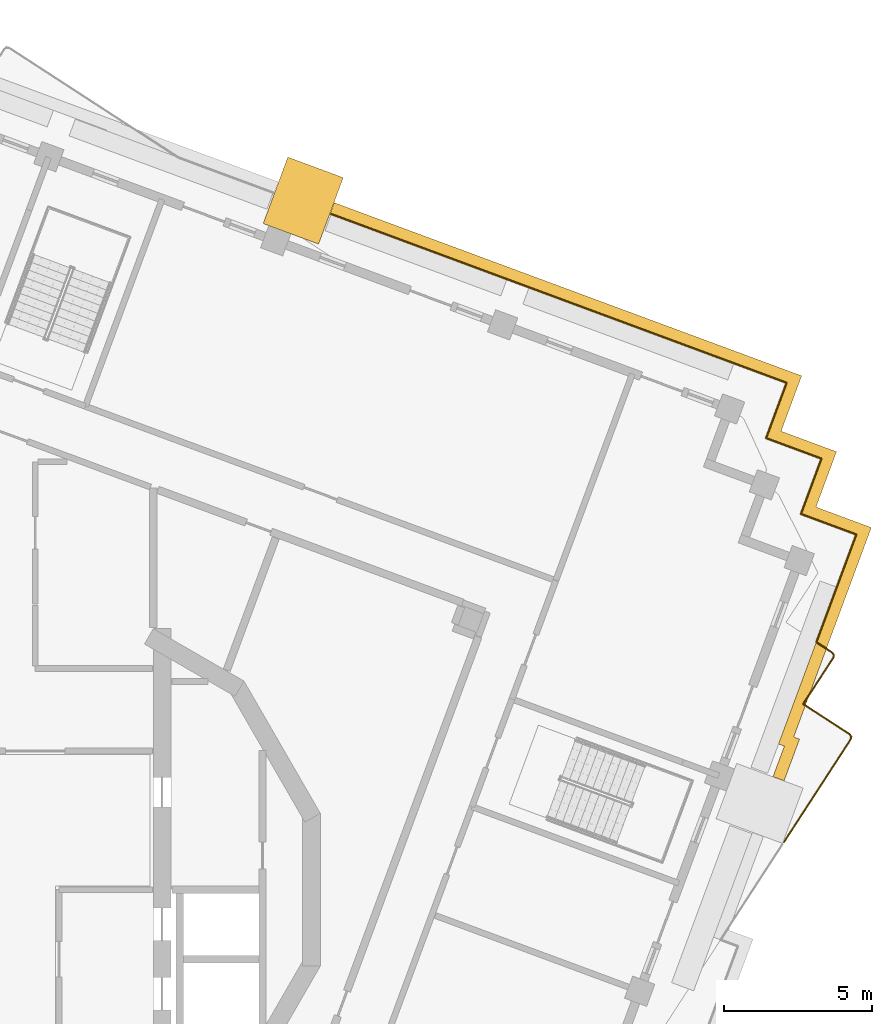
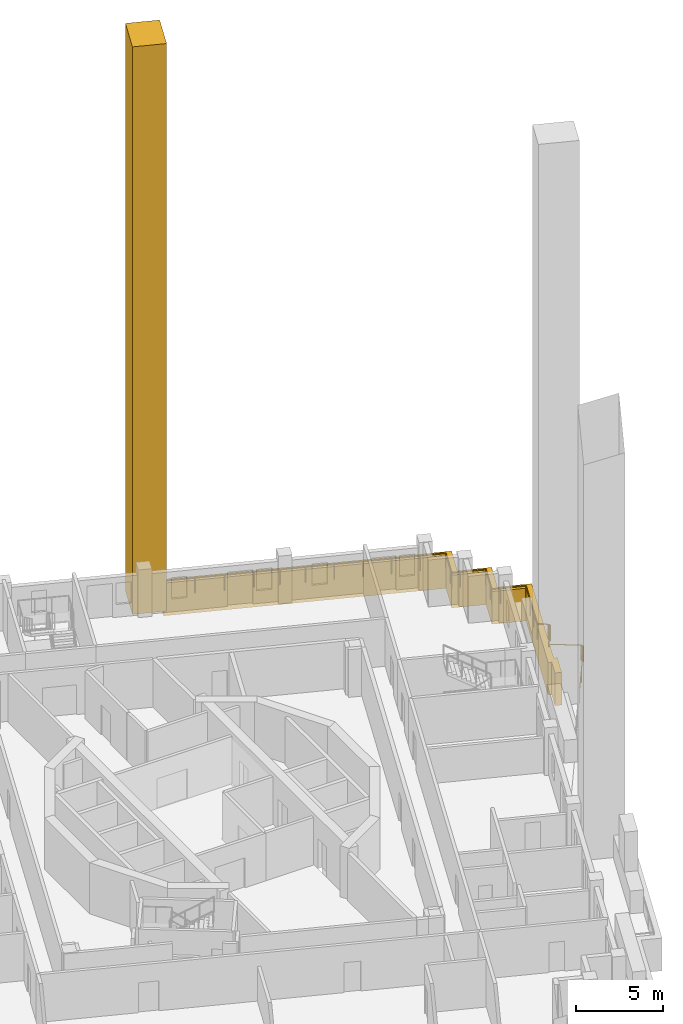
# One storey, part 19 of 20: 2 coverings, 1 railing.
"""IFC4 building model written with IfcOpenShell, lengths in metres."""

import ifcopenshell
import ifcopenshell.guid

model = None  # the IFC model being written
_history = None  # IfcOwnerHistory: only IFC2X3 demands one
_inside = {}  # id of a spatial element -> (the spatial element, [elements in it])
_under = {}  # id of a project, library or spatial element -> (it, [spatial elements below it])
_declared = {}  # id of a project -> (the project, [libraries it declares])
_typed = {}  # id of a type object -> (the type object, [elements of that type])
_made_of = {}  # id of a material, layer set ... -> (it, [elements and type objects made of it])


def new_model(schema):
    """Start an empty IFC model of exactly this schema.

    Asked for "IFC4X3", IfcOpenShell would pick the latest addendum, in which some entities
    have other attributes; the version numbers below select the first issue.
    IFC2X3 requires an IfcOwnerHistory on every rooted entity: one is made here for all.
    """
    global model, _history
    if schema == "IFC4X3":
        model = ifcopenshell.file(schema_version=(4, 3, 0, 0))
    else:
        model = ifcopenshell.file(schema=schema)
    _inside.clear()
    _under.clear()
    _declared.clear()
    _typed.clear()
    _made_of.clear()
    _history = None
    if model.schema == "IFC2X3":
        org = make("IfcOrganization", Name="unknown")
        user = make(
            "IfcPersonAndOrganization",
            ThePerson=make("IfcPerson", FamilyName="unknown"),
            TheOrganization=org,
        )
        app = make(
            "IfcApplication",
            ApplicationDeveloper=org,
            Version="unknown",
            ApplicationFullName="unknown",
            ApplicationIdentifier="unknown",
        )
        _history = make(
            "IfcOwnerHistory",
            OwningUser=user,
            OwningApplication=app,
            ChangeAction="ADDED",
            CreationDate=0,
        )
    return model


def make(cls, **values):
    """One entity of the class cls with the attributes given. An attribute that is None is left unset."""
    return model.create_entity(
        cls, **{name: value for name, value in values.items() if value is not None}
    )


def rooted(cls, **values):
    """An entity with a GlobalId (a new one), such as an element, a storey or a relation."""
    return make(cls, GlobalId=ifcopenshell.guid.new(), OwnerHistory=_history, **values)


def si_unit(unit_type, name, prefix=None):
    """IfcSIUnit, for example si_unit("LENGTHUNIT", "METRE", prefix="MILLI")."""
    return make("IfcSIUnit", UnitType=unit_type, Prefix=prefix, Name=name)


def assignment(units):
    """IfcUnitAssignment: the units of a project."""
    return None if units is None else make("IfcUnitAssignment", Units=units)


def point(xyz):
    """IfcCartesianPoint."""
    return None if xyz is None else make("IfcCartesianPoint", Coordinates=xyz)


def direction(xyz):
    """IfcDirection."""
    return None if xyz is None else make("IfcDirection", DirectionRatios=xyz)


def frame(location, z_axis=None, x_axis=None):
    """IfcAxis2Placement3D, a coordinate frame: its origin and axes. An axis left out is left unset."""
    return make(
        "IfcAxis2Placement3D",
        Location=point(location),
        Axis=direction(z_axis),
        RefDirection=direction(x_axis),
    )


def frame_2d(location, x_axis=None):
    """IfcAxis2Placement2D, a coordinate frame in the plane: its origin and x axis."""
    return make(
        "IfcAxis2Placement2D", Location=point(location), RefDirection=direction(x_axis)
    )


def origin():
    """The frame at (0, 0, 0) with its axes left unset."""
    return frame((0.0, 0.0, 0.0))


def origin_2d():
    """The frame at (0, 0) in the plane with its x axis left unset."""
    return frame_2d((0.0, 0.0))


def place(relative_to, where):
    """IfcLocalPlacement: puts the frame where relative to a parent placement (None: the world)."""
    return make(
        "IfcLocalPlacement", PlacementRelTo=relative_to, RelativePlacement=where
    )


def context(
    kind, dimensions, precision=None, world=None, true_north=None, identifier=None
):
    """IfcGeometricRepresentationContext, for example the 3D "Model" context."""
    return make(
        "IfcGeometricRepresentationContext",
        ContextIdentifier=identifier,
        ContextType=kind,
        CoordinateSpaceDimension=dimensions,
        Precision=precision,
        WorldCoordinateSystem=world,
        TrueNorth=true_north,
    )


def subcontext(parent, identifier, kind, view, scale=None):
    """IfcGeometricRepresentationSubContext, for example "Body" below "Model"."""
    return make(
        "IfcGeometricRepresentationSubContext",
        ContextIdentifier=identifier,
        ContextType=kind,
        ParentContext=parent,
        TargetScale=scale,
        TargetView=view,
    )


def project(units=None, contexts=None):
    """IfcProject with its units and contexts."""
    return rooted(
        "IfcProject",
        Name="project",
        RepresentationContexts=contexts,
        UnitsInContext=assignment(units),
    )


def spatial(cls, under=None, at=None, **own):
    """A site, building, storey or space (cls), placed at a placement, below another one or the project."""
    s = rooted(cls, ObjectPlacement=at, **own)
    if under is not None:
        _under.setdefault(under.id(), (under, []))[1].append(s)
    return s


def polyline(points):
    """IfcPolyline through the points."""
    return make("IfcPolyline", Points=[point(p) for p in points])


def profile(cls, at=None, kind="AREA", **sizes):
    """A parametric profile (cls). Its sizes go by their IFC names, for example OverallWidth=200.0."""
    return make(cls, ProfileType=kind, Position=at, **sizes)


def rectangle(**sizes):
    """IfcRectangleProfileDef."""
    return profile("IfcRectangleProfileDef", **sizes)


def circle(**sizes):
    """IfcCircleProfileDef."""
    return profile("IfcCircleProfileDef", **sizes)


def outline(outer, holes=None, kind="AREA"):
    """IfcArbitraryClosedProfileDef: a profile drawn as a closed curve; with holes, ...WithVoids."""
    if holes is None:
        return make("IfcArbitraryClosedProfileDef", ProfileType=kind, OuterCurve=outer)
    return make(
        "IfcArbitraryProfileDefWithVoids",
        ProfileType=kind,
        OuterCurve=outer,
        InnerCurves=holes,
    )


def extrude(swept, where, along, depth):
    """IfcExtrudedAreaSolid: the profile swept, set in the frame where, extruded along a direction by depth."""
    return make(
        "IfcExtrudedAreaSolid",
        SweptArea=swept,
        Position=where,
        ExtrudedDirection=direction(along),
        Depth=depth,
    )


def shape(context_of_items, identifier, shape_type, items):
    """IfcShapeRepresentation: the items that make up one representation, for example the "Body"."""
    return make(
        "IfcShapeRepresentation",
        ContextOfItems=context_of_items,
        RepresentationIdentifier=identifier,
        RepresentationType=shape_type,
        Items=items,
    )


def material(Name=None, Category=None):
    """IfcMaterial."""
    return make("IfcMaterial", Name=Name, Category=Category)


def made_of(thing, what):
    """Note that an element or type object is made of a material, layer set ...; save() writes the relation."""
    if what is not None:
        _made_of.setdefault(what.id(), (what, []))[1].append(thing)
    return thing


def type_object(cls, material=None, **own):
    """A type object (cls), such as IfcWallType, which elements share."""
    return made_of(rooted(cls, **own), material)


def element(
    cls,
    number,
    at=None,
    inside=None,
    cuts=None,
    type_object=None,
    material=None,
    context=None,
    identifier="Body",
    shape_type=None,
    held_by="IfcProductDefinitionShape",
    body=None,
    shapes=None,
    **own,
):
    """One element of the class cls, such as IfcWall. Its Tag is "e" and its number.

    at: its placement. inside: the storey or other place that contains it. cuts: it is an
    opening in that element (IfcRelVoidsElement). A single representation is given by context,
    identifier, shape_type and body (its items); several are given by shapes. held_by: the class
    of the entity that holds the representations. save() writes the other relations.
    """
    e = rooted(cls, Tag="e%d" % number, ObjectPlacement=at, **own)
    if body is not None:
        shapes = [shape(context, identifier, shape_type, body)]
    if shapes is not None:
        e.Representation = make(held_by, Representations=shapes)
    if inside is not None:
        _inside.setdefault(inside.id(), (inside, []))[1].append(e)
    if cuts is not None:
        rooted(
            "IfcRelVoidsElement", RelatingBuildingElement=cuts, RelatedOpeningElement=e
        )
    if type_object is not None:
        _typed.setdefault(type_object.id(), (type_object, []))[1].append(e)
    return made_of(e, material)


def aggregate(whole, parts):
    """IfcRelAggregates: a whole, such as a stair, and the parts it consists of."""
    return rooted("IfcRelAggregates", RelatingObject=whole, RelatedObjects=parts)


def save(model, path):
    """Write the relations noted so far, then the file.

    IfcRelAggregates (storeys below a building ...), IfcRelContainedInSpatialStructure (elements
    in a storey), IfcRelDefinesByType, IfcRelAssociatesMaterial and IfcRelDeclares: one each for
    every whole, place, type object, material and project.
    """
    for whole, parts in _under.values():
        aggregate(whole, parts)
    for where, things in _inside.values():
        rooted(
            "IfcRelContainedInSpatialStructure",
            RelatedElements=things,
            RelatingStructure=where,
        )
    for kind, things in _typed.values():
        rooted("IfcRelDefinesByType", RelatedObjects=things, RelatingType=kind)
    for what, things in _made_of.values():
        rooted("IfcRelAssociatesMaterial", RelatedObjects=things, RelatingMaterial=what)
    for by, libraries in _declared.values():
        rooted("IfcRelDeclares", RelatingContext=by, RelatedDefinitions=libraries)
    model.write(path)


model = new_model("IFC4")

# Units and contexts
model_context = context("Model", 3, precision=1e-05, world=origin(), true_north=direction((0.0, 1.0)))
body_context = subcontext(model_context, "Body", "Model", "MODEL_VIEW")
ifc_project = project(units=[si_unit("LENGTHUNIT", "METRE"), si_unit("AREAUNIT", "SQUARE_METRE"), si_unit("VOLUMEUNIT", "CUBIC_METRE"), si_unit("PLANEANGLEUNIT", "RADIAN"), si_unit("MASSUNIT", "GRAM", prefix="KILO")], contexts=[model_context])

# Site, building, storey
site_placement = place(None, origin())
site = spatial("IfcSite", under=ifc_project, at=site_placement, CompositionType="ELEMENT")
building_placement = place(site_placement, origin())
building = spatial("IfcBuilding", under=site, at=building_placement, Name="Cantera Rosa Tower", CompositionType="ELEMENT")
storey_placement = place(building_placement, frame((0.0, 0.0, 306.10009765625)))
storey = spatial("IfcBuildingStorey", under=building, at=storey_placement, Name="L67", CompositionType="ELEMENT", Elevation=306.10009765625)

# Railing
ifc_material_1 = material(Name="Stainless steel and laminated glass", Category="steel")
railing_type = type_object("IfcRailingType", Name="GUARD 1100", PredefinedType="BALUSTRADE", material=ifc_material_1)
railing_placement = place(storey_placement, frame((10.010498046875, 22.8984375, 0.0)))
element("IfcRailing", 1, at=railing_placement, inside=storey, type_object=railing_type, Name="GUARD L67-4", PredefinedType="BALUSTRADE", context=body_context, shape_type="SweptSolid", body=[
    extrude(circle(Radius=0.030029296875, at=origin_2d()), frame((0.0, 0.0, 1.070068359375), z_axis=(0.937327749542, -0.348448977525, 0.0), x_axis=(0.348448977525, 0.937327749542, 0.0)), (0.0, 0.0, 1.0), 0.070068359375),
    extrude(circle(Radius=0.030029296875, at=origin_2d()), frame((0.065673828125, -0.0244140625, 1.070068359375), z_axis=(0.937688147358, -0.347477968085, 0.0), x_axis=(0.347477968085, 0.937688147358, 0.0)), (0.0, 0.0, 1.0), 5.199951171875),
    extrude(circle(Radius=0.030029296875, at=origin_2d()), frame((4.941650390625, -1.831298828125, 1.070068359375), z_axis=(0.937680024402, -0.347499887537, 0.0), x_axis=(0.347499887537, 0.937680024402, 0.0)), (0.0, 0.0, 1.0), 3.0),
    extrude(circle(Radius=0.030029296875, at=origin_2d()), frame((7.754638671875, -2.873779296875, 1.070068359375), z_axis=(0.937686328856, -0.347482875373, 0.0), x_axis=(0.347482875373, 0.937686328856, 0.0)), (0.0, 0.0, 1.0), 6.699951171875),
    extrude(circle(Radius=0.030029296875, at=origin_2d()), frame((14.037109375, -5.201904296875, 1.070068359375), z_axis=(0.93769967459, -0.347446859641, 0.0), x_axis=(0.347446859641, 0.93769967459, 0.0)), (0.0, 0.0, 1.0), 1.500244140625),
    extrude(circle(Radius=0.030029296875, at=origin_2d()), frame((15.44384765625, -5.72314453125, 1.070068359375), z_axis=(-0.347499887537, -0.937680024402, 0.0), x_axis=(0.937680024402, -0.347499887537, 0.0)), (0.0, 0.0, 1.0), 1.5),
    extrude(circle(Radius=0.030029296875, at=origin_2d()), frame((14.922607421875, -7.129638671875, 1.070068359375), z_axis=(-0.347696042931, -0.937607306781, 0.0), x_axis=(0.937607306781, -0.347696042931, 0.0)), (0.0, 0.0, 1.0), 0.5),
    extrude(circle(Radius=0.030029296875, at=origin_2d()), frame((14.748779296875, -7.598388671875, 1.070068359375), z_axis=(0.937607306781, -0.347696042931, 0.0), x_axis=(0.347696042931, 0.937607306781, 0.0)), (0.0, 0.0, 1.0), 0.5),
    extrude(circle(Radius=0.030029296875, at=origin_2d()), frame((15.217529296875, -7.772216796875, 1.070068359375), z_axis=(0.93769967459, -0.347446859641, 0.0), x_axis=(0.347446859641, 0.93769967459, 0.0)), (0.0, 0.0, 1.0), 1.500244140625),
    extrude(circle(Radius=0.030029296875, at=origin_2d()), frame((16.624267578125, -8.29345703125, 1.070068359375), z_axis=(-0.347499887537, -0.937680024402, 0.0), x_axis=(0.937680024402, -0.347499887537, 0.0)), (0.0, 0.0, 1.0), 1.5),
    extrude(circle(Radius=0.030029296875, at=origin_2d()), frame((16.10302734375, -9.699951171875, 1.070068359375), z_axis=(-0.347696042931, -0.937607306781, 0.0), x_axis=(0.937607306781, -0.347696042931, 0.0)), (0.0, 0.0, 1.0), 0.5),
    extrude(circle(Radius=0.030029296875, at=origin_2d()), frame((15.92919921875, -10.168701171875, 1.070068359375), z_axis=(0.937607306781, -0.347696042931, 0.0), x_axis=(0.347696042931, 0.937607306781, 0.0)), (0.0, 0.0, 1.0), 0.5),
    extrude(circle(Radius=0.030029296875, at=origin_2d()), frame((16.39794921875, -10.342529296875, 1.070068359375), z_axis=(0.93769967459, -0.347446859641, 0.0), x_axis=(0.347446859641, 0.93769967459, 0.0)), (0.0, 0.0, 1.0), 1.500244140625),
    extrude(circle(Radius=0.030029296875, at=origin_2d()), frame((17.8046875, -10.86376953125, 1.070068359375), z_axis=(-0.347499887537, -0.937680024402, 0.0), x_axis=(0.937680024402, -0.347499887537, 0.0)), (0.0, 0.0, 1.0), 1.5),
    extrude(circle(Radius=0.030029296875, at=origin_2d()), frame((17.283447265625, -12.270263671875, 1.070068359375), z_axis=(-0.347534196719, -0.937667308863, 0.0), x_axis=(0.937667308863, -0.347534196719, 0.0)), (0.0, 0.0, 1.0), 2.386962890625),
    extrude(circle(Radius=0.030029296875, at=origin_2d()), frame((16.453857421875, -14.508544921875, 1.070068359375), z_axis=(0.838782793317, -0.544466184106, 0.0), x_axis=(0.544466184106, 0.838782793317, 0.0)), (0.0, 0.0, 1.0), 0.62451171875),
    extrude(circle(Radius=0.030029296875, at=origin_2d()), frame((16.977783203125, -14.8486328125, 1.070068359375), z_axis=(0.813733471207, -0.581238193719, 0.0), x_axis=(0.581238193719, 0.813733471207, 0.0)), (0.0, 0.0, 1.0), 0.0146484375),
    extrude(circle(Radius=0.030029296875, at=origin_2d()), frame((16.98974609375, -14.857177734375, 1.070068359375), z_axis=(0.747409318684, -0.66436383883, 0.0), x_axis=(0.66436383883, 0.747409318684, 0.0)), (0.0, 0.0, 1.0), 0.0146484375),
    extrude(circle(Radius=0.030029296875, at=origin_2d()), frame((17.000732421875, -14.866943359375, 1.070068359375), z_axis=(0.68172559923, -0.73160796015, 0.0), x_axis=(0.73160796015, 0.68172559923, 0.0)), (0.0, 0.0, 1.0), 0.0146484375),
    extrude(circle(Radius=0.030029296875, at=origin_2d()), frame((17.0107421875, -14.877685546875, 1.070068359375), z_axis=(0.6, -0.8, 0.0), x_axis=(0.8, 0.6, 0.0)), (0.0, 0.0, 1.0), 0.0146484375),
    extrude(circle(Radius=0.030029296875, at=origin_2d()), frame((17.01953125, -14.889404296875, 1.070068359375), z_axis=(0.524097425664, -0.851658316705, 0.0), x_axis=(0.851658316705, 0.524097425664, 0.0)), (0.0, 0.0, 1.0), 0.014892578125),
    extrude(circle(Radius=0.030029296875, at=origin_2d()), frame((17.02734375, -14.902099609375, 1.070068359375), z_axis=(0.4472135955, -0.894427191, 0.0), x_axis=(0.894427191, 0.4472135955, 0.0)), (0.0, 0.0, 1.0), 0.0146484375),
    extrude(circle(Radius=0.030029296875, at=origin_2d()), frame((17.033935546875, -14.915283203125, 1.070068359375), z_axis=(0.351123441588, -0.936329177569, 0.0), x_axis=(0.936329177569, 0.351123441588, 0.0)), (0.0, 0.0, 1.0), 0.0146484375),
    extrude(circle(Radius=0.030029296875, at=origin_2d()), frame((17.0390625, -14.928955078125, 1.070068359375), z_axis=(0.246398779092, -0.969168531094, 0.0), x_axis=(0.969168531094, 0.246398779092, 0.0)), (0.0, 0.0, 1.0), 0.014892578125),
    extrude(circle(Radius=0.030029296875, at=origin_2d()), frame((17.042724609375, -14.943359375, 1.070068359375), z_axis=(0.167108230108, -0.985938557634, 0.0), x_axis=(0.985938557634, 0.167108230108, 0.0)), (0.0, 0.0, 1.0), 0.0146484375),
    extrude(circle(Radius=0.030029296875, at=origin_2d()), frame((17.045166015625, -14.957763671875, 1.070068359375), z_axis=(0.049937616944, -0.998752338878, 0.0), x_axis=(0.998752338878, 0.049937616944, 0.0)), (0.0, 0.0, 1.0), 0.0146484375),
    extrude(circle(Radius=0.030029296875, at=origin_2d()), frame((17.0458984375, -14.972412109375, 1.070068359375), z_axis=(-0.032769276821, -0.999462943033, 0.0), x_axis=(0.999462943033, -0.032769276821, 0.0)), (0.0, 0.0, 1.0), 0.014892578125),
    extrude(circle(Radius=0.030029296875, at=origin_2d()), frame((17.04541015625, -14.9873046875, 1.070068359375), z_axis=(-0.134363672974, -0.99093208818, 0.0), x_axis=(0.99093208818, -0.134363672974, 0.0)), (0.0, 0.0, 1.0), 0.0146484375),
    extrude(circle(Radius=0.030029296875, at=origin_2d()), frame((17.04345703125, -15.001708984375, 1.070068359375), z_axis=(-0.230877292468, -0.972982875401, 0.0), x_axis=(0.972982875401, -0.230877292468, 0.0)), (0.0, 0.0, 1.0), 0.014892578125),
    extrude(circle(Radius=0.030029296875, at=origin_2d()), frame((17.0400390625, -15.01611328125, 1.070068359375), z_axis=(-0.316227766017, -0.948683298051, 0.0), x_axis=(0.948683298051, -0.316227766017, 0.0)), (0.0, 0.0, 1.0), 0.0146484375),
    extrude(circle(Radius=0.030029296875, at=origin_2d()), frame((17.035400390625, -15.030029296875, 1.070068359375), z_axis=(-0.413802944301, -0.910366477463, 0.0), x_axis=(0.910366477463, -0.413802944301, 0.0)), (0.0, 0.0, 1.0), 0.0146484375),
    extrude(circle(Radius=0.030029296875, at=origin_2d()), frame((17.029296875, -15.04345703125, 1.070068359375), z_axis=(-0.512064542317, -0.858946974209, 0.0), x_axis=(0.858946974209, -0.512064542317, 0.0)), (0.0, 0.0, 1.0), 0.014892578125),
    extrude(circle(Radius=0.030029296875, at=origin_2d()), frame((17.021728515625, -15.05615234375, 1.070068359375), z_axis=(-0.544588529579, -0.838703364397, 0.0), x_axis=(0.838703364397, -0.544588529579, 0.0)), (0.0, 0.0, 1.0), 1.84619140625),
    extrude(circle(Radius=0.030029296875, at=origin_2d()), frame((16.016357421875, -16.6044921875, 1.070068359375), z_axis=(-0.474099823035, -0.880471099922, 0.0), x_axis=(0.880471099922, -0.474099823035, 0.0)), (0.0, 0.0, 1.0), 0.003662109375),
    extrude(circle(Radius=0.030029296875, at=origin_2d()), frame((16.0146484375, -16.607666015625, 1.070068359375), z_axis=(0.808736084303, -0.588171697675, 0.0), x_axis=(0.588171697675, 0.808736084303, 0.0)), (0.0, 0.0, 1.0), 0.00341796875),
    extrude(circle(Radius=0.030029296875, at=origin_2d()), frame((16.017333984375, -16.609619140625, 1.070068359375), z_axis=(0.838682185608, -0.544621144966, 0.0), x_axis=(0.544621144966, 0.838682185608, 0.0)), (0.0, 0.0, 1.0), 1.846435546875),
    extrude(circle(Radius=0.030029296875, at=origin_2d()), frame((17.56591796875, -17.615234375, 1.070068359375), z_axis=(0.808007530216, -0.589172157449, 0.0), x_axis=(0.589172157449, 0.808007530216, 0.0)), (0.0, 0.0, 1.0), 0.014404296875),
    extrude(circle(Radius=0.030029296875, at=origin_2d()), frame((17.57763671875, -17.623779296875, 1.070068359375), z_axis=(0.754605522164, -0.656178714925, 0.0), x_axis=(0.656178714925, 0.754605522164, 0.0)), (0.0, 0.0, 1.0), 0.014892578125),
    extrude(circle(Radius=0.030029296875, at=origin_2d()), frame((17.5888671875, -17.633544921875, 1.070068359375), z_axis=(0.68172559923, -0.73160796015, 0.0), x_axis=(0.73160796015, 0.68172559923, 0.0)), (0.0, 0.0, 1.0), 0.0146484375),
    extrude(circle(Radius=0.030029296875, at=origin_2d()), frame((17.598876953125, -17.644287109375, 1.070068359375), z_axis=(0.6, -0.8, 0.0), x_axis=(0.8, 0.6, 0.0)), (0.0, 0.0, 1.0), 0.0146484375),
    extrude(circle(Radius=0.030029296875, at=origin_2d()), frame((17.607666015625, -17.656005859375, 1.070068359375), z_axis=(0.524097425664, -0.851658316705, 0.0), x_axis=(0.851658316705, 0.524097425664, 0.0)), (0.0, 0.0, 1.0), 0.014892578125),
    extrude(circle(Radius=0.030029296875, at=origin_2d()), frame((17.615478515625, -17.668701171875, 1.070068359375), z_axis=(0.433815618773, -0.901001669759, 0.0), x_axis=(0.901001669759, 0.433815618773, 0.0)), (0.0, 0.0, 1.0), 0.0146484375),
    extrude(circle(Radius=0.030029296875, at=origin_2d()), frame((17.621826171875, -17.681884765625, 1.070068359375), z_axis=(0.351123441588, -0.936329177569, 0.0), x_axis=(0.936329177569, 0.351123441588, 0.0)), (0.0, 0.0, 1.0), 0.0146484375),
    extrude(circle(Radius=0.030029296875, at=origin_2d()), frame((17.626953125, -17.695556640625, 1.070068359375), z_axis=(0.261732970243, -0.96514032777, 0.0), x_axis=(0.96514032777, 0.261732970243, 0.0)), (0.0, 0.0, 1.0), 0.014892578125),
    extrude(circle(Radius=0.030029296875, at=origin_2d()), frame((17.630859375, -17.7099609375, 1.070068359375), z_axis=(0.167108230108, -0.985938557634, 0.0), x_axis=(0.985938557634, 0.167108230108, 0.0)), (0.0, 0.0, 1.0), 0.0146484375),
    extrude(circle(Radius=0.030029296875, at=origin_2d()), frame((17.63330078125, -17.724365234375, 1.070068359375), z_axis=(0.049937616944, -0.998752338878, 0.0), x_axis=(0.998752338878, 0.049937616944, 0.0)), (0.0, 0.0, 1.0), 0.0146484375),
    extrude(circle(Radius=0.030029296875, at=origin_2d()), frame((17.634033203125, -17.739013671875, 1.070068359375), z_axis=(-0.032769276821, -0.999462943033, 0.0), x_axis=(0.999462943033, -0.032769276821, 0.0)), (0.0, 0.0, 1.0), 0.014892578125),
    extrude(circle(Radius=0.030029296875, at=origin_2d()), frame((17.633544921875, -17.75390625, 1.070068359375), z_axis=(-0.134363672974, -0.99093208818, 0.0), x_axis=(0.99093208818, -0.134363672974, 0.0)), (0.0, 0.0, 1.0), 0.0146484375),
    extrude(circle(Radius=0.030029296875, at=origin_2d()), frame((17.631591796875, -17.768310546875, 1.070068359375), z_axis=(-0.230877292468, -0.972982875401, 0.0), x_axis=(0.972982875401, -0.230877292468, 0.0)), (0.0, 0.0, 1.0), 0.014892578125),
    extrude(circle(Radius=0.030029296875, at=origin_2d()), frame((17.628173828125, -17.78271484375, 1.070068359375), z_axis=(-0.316227766017, -0.948683298051, 0.0), x_axis=(0.948683298051, -0.316227766017, 0.0)), (0.0, 0.0, 1.0), 0.0146484375),
    extrude(circle(Radius=0.030029296875, at=origin_2d()), frame((17.62353515625, -17.796630859375, 1.070068359375), z_axis=(-0.427379616893, -0.904072266505, 0.0), x_axis=(0.904072266505, -0.427379616893, 0.0)), (0.0, 0.0, 1.0), 0.014892578125),
    extrude(circle(Radius=0.030029296875, at=origin_2d()), frame((17.6171875, -17.81005859375, 1.070068359375), z_axis=(-0.49972245349, -0.866185586049, 0.0), x_axis=(0.866185586049, -0.49972245349, 0.0)), (0.0, 0.0, 1.0), 0.0146484375),
    extrude(circle(Radius=0.030029296875, at=origin_2d()), frame((17.60986328125, -17.82275390625, 1.070068359375), z_axis=(-0.544659987392, -0.838656960941, 0.0), x_axis=(0.838656960941, -0.544659987392, 0.0)), (0.0, 0.0, 1.0), 4.129638671875),
    extrude(circle(Radius=0.02490234375, at=origin_2d()), origin(), (0.0, 0.0, 1.0), 1.0400390625),
    extrude(circle(Radius=0.02490234375, at=origin_2d()), frame((0.065673828125, -0.0244140625, 0.0)), (0.0, 0.0, 1.0), 1.0400390625),
    extrude(circle(Radius=0.02490234375, at=origin_2d()), frame((1.69091796875, -0.626708984375, 0.0)), (0.0, 0.0, 1.0), 1.0400390625),
    extrude(circle(Radius=0.02490234375, at=origin_2d()), frame((3.31640625, -1.22900390625, 0.0)), (0.0, 0.0, 1.0), 1.0400390625),
    extrude(circle(Radius=0.02490234375, at=origin_2d()), frame((4.941650390625, -1.831298828125, 0.0)), (0.0, 0.0, 1.0), 1.0400390625),
    extrude(circle(Radius=0.02490234375, at=origin_2d()), frame((6.34814453125, -2.3525390625, 0.0)), (0.0, 0.0, 1.0), 1.0400390625),
    extrude(circle(Radius=0.02490234375, at=origin_2d()), frame((7.754638671875, -2.873779296875, 0.0)), (0.0, 0.0, 1.0), 1.0400390625),
    extrude(circle(Radius=0.02490234375, at=origin_2d()), frame((9.3251953125, -3.455810546875, 0.0)), (0.0, 0.0, 1.0), 1.0400390625),
    extrude(circle(Radius=0.02490234375, at=origin_2d()), frame((10.89599609375, -4.037841796875, 0.0)), (0.0, 0.0, 1.0), 1.0400390625),
    extrude(circle(Radius=0.02490234375, at=origin_2d()), frame((12.466552734375, -4.619873046875, 0.0)), (0.0, 0.0, 1.0), 1.0400390625),
    extrude(circle(Radius=0.02490234375, at=origin_2d()), frame((14.037109375, -5.201904296875, 0.0)), (0.0, 0.0, 1.0), 1.0400390625),
    extrude(circle(Radius=0.02490234375, at=origin_2d()), frame((15.44384765625, -5.72314453125, 0.0)), (0.0, 0.0, 1.0), 1.0400390625),
    extrude(circle(Radius=0.02490234375, at=origin_2d()), frame((14.922607421875, -7.129638671875, 0.0)), (0.0, 0.0, 1.0), 1.0400390625),
    extrude(circle(Radius=0.02490234375, at=origin_2d()), frame((14.748779296875, -7.598388671875, 0.0)), (0.0, 0.0, 1.0), 1.0400390625),
    extrude(circle(Radius=0.02490234375, at=origin_2d()), frame((15.217529296875, -7.772216796875, 0.0)), (0.0, 0.0, 1.0), 1.0400390625),
    extrude(circle(Radius=0.02490234375, at=origin_2d()), frame((16.624267578125, -8.29345703125, 0.0)), (0.0, 0.0, 1.0), 1.0400390625),
    extrude(circle(Radius=0.02490234375, at=origin_2d()), frame((16.10302734375, -9.699951171875, 0.0)), (0.0, 0.0, 1.0), 1.0400390625),
    extrude(circle(Radius=0.02490234375, at=origin_2d()), frame((15.92919921875, -10.168701171875, 0.0)), (0.0, 0.0, 1.0), 1.0400390625),
    extrude(circle(Radius=0.02490234375, at=origin_2d()), frame((16.39794921875, -10.342529296875, 0.0)), (0.0, 0.0, 1.0), 1.0400390625),
    extrude(circle(Radius=0.02490234375, at=origin_2d()), frame((17.8046875, -10.86376953125, 0.0)), (0.0, 0.0, 1.0), 1.0400390625),
    extrude(circle(Radius=0.02490234375, at=origin_2d()), frame((17.283447265625, -12.270263671875, 0.0)), (0.0, 0.0, 1.0), 1.0400390625),
    extrude(circle(Radius=0.02490234375, at=origin_2d()), frame((16.86865234375, -13.389404296875, 0.0)), (0.0, 0.0, 1.0), 1.0400390625),
    extrude(circle(Radius=0.02490234375, at=origin_2d()), frame((16.453857421875, -14.508544921875, 0.0)), (0.0, 0.0, 1.0), 1.0400390625),
    extrude(circle(Radius=0.02490234375, at=origin_2d()), frame((16.977783203125, -14.8486328125, 0.0)), (0.0, 0.0, 1.0), 1.0400390625),
    extrude(circle(Radius=0.02490234375, at=origin_2d()), frame((16.98974609375, -14.857177734375, 0.0)), (0.0, 0.0, 1.0), 1.0400390625),
    extrude(circle(Radius=0.02490234375, at=origin_2d()), frame((17.000732421875, -14.866943359375, 0.0)), (0.0, 0.0, 1.0), 1.0400390625),
    extrude(circle(Radius=0.02490234375, at=origin_2d()), frame((17.0107421875, -14.877685546875, 0.0)), (0.0, 0.0, 1.0), 1.0400390625),
    extrude(circle(Radius=0.02490234375, at=origin_2d()), frame((17.01953125, -14.889404296875, 0.0)), (0.0, 0.0, 1.0), 1.0400390625),
    extrude(circle(Radius=0.02490234375, at=origin_2d()), frame((17.02734375, -14.902099609375, 0.0)), (0.0, 0.0, 1.0), 1.0400390625),
    extrude(circle(Radius=0.02490234375, at=origin_2d()), frame((17.033935546875, -14.915283203125, 0.0)), (0.0, 0.0, 1.0), 1.0400390625),
    extrude(circle(Radius=0.02490234375, at=origin_2d()), frame((17.0390625, -14.928955078125, 0.0)), (0.0, 0.0, 1.0), 1.0400390625),
    extrude(circle(Radius=0.02490234375, at=origin_2d()), frame((17.042724609375, -14.943359375, 0.0)), (0.0, 0.0, 1.0), 1.0400390625),
    extrude(circle(Radius=0.02490234375, at=origin_2d()), frame((17.045166015625, -14.957763671875, 0.0)), (0.0, 0.0, 1.0), 1.0400390625),
    extrude(circle(Radius=0.02490234375, at=origin_2d()), frame((17.0458984375, -14.972412109375, 0.0)), (0.0, 0.0, 1.0), 1.0400390625),
    extrude(circle(Radius=0.02490234375, at=origin_2d()), frame((17.04541015625, -14.9873046875, 0.0)), (0.0, 0.0, 1.0), 1.0400390625),
    extrude(circle(Radius=0.02490234375, at=origin_2d()), frame((17.04345703125, -15.001708984375, 0.0)), (0.0, 0.0, 1.0), 1.0400390625),
    extrude(circle(Radius=0.02490234375, at=origin_2d()), frame((17.0400390625, -15.01611328125, 0.0)), (0.0, 0.0, 1.0), 1.0400390625),
    extrude(circle(Radius=0.02490234375, at=origin_2d()), frame((17.035400390625, -15.030029296875, 0.0)), (0.0, 0.0, 1.0), 1.0400390625),
    extrude(circle(Radius=0.02490234375, at=origin_2d()), frame((17.029296875, -15.04345703125, 0.0)), (0.0, 0.0, 1.0), 1.0400390625),
    extrude(circle(Radius=0.02490234375, at=origin_2d()), frame((17.021728515625, -15.05615234375, 0.0)), (0.0, 0.0, 1.0), 1.0400390625),
    extrude(circle(Radius=0.02490234375, at=origin_2d()), frame((16.016357421875, -16.6044921875, 0.0)), (0.0, 0.0, 1.0), 1.0400390625),
    extrude(circle(Radius=0.02490234375, at=origin_2d()), frame((16.0146484375, -16.607666015625, 0.0)), (0.0, 0.0, 1.0), 1.0400390625),
    extrude(circle(Radius=0.02490234375, at=origin_2d()), frame((16.017333984375, -16.609619140625, 0.0)), (0.0, 0.0, 1.0), 1.0400390625),
    extrude(circle(Radius=0.02490234375, at=origin_2d()), frame((17.56591796875, -17.615234375, 0.0)), (0.0, 0.0, 1.0), 1.0400390625),
    extrude(circle(Radius=0.02490234375, at=origin_2d()), frame((17.57763671875, -17.623779296875, 0.0)), (0.0, 0.0, 1.0), 1.0400390625),
    extrude(circle(Radius=0.02490234375, at=origin_2d()), frame((17.5888671875, -17.633544921875, 0.0)), (0.0, 0.0, 1.0), 1.0400390625),
    extrude(circle(Radius=0.02490234375, at=origin_2d()), frame((17.598876953125, -17.644287109375, 0.0)), (0.0, 0.0, 1.0), 1.0400390625),
    extrude(circle(Radius=0.02490234375, at=origin_2d()), frame((17.607666015625, -17.656005859375, 0.0)), (0.0, 0.0, 1.0), 1.0400390625),
    extrude(circle(Radius=0.02490234375, at=origin_2d()), frame((17.615478515625, -17.668701171875, 0.0)), (0.0, 0.0, 1.0), 1.0400390625),
    extrude(circle(Radius=0.02490234375, at=origin_2d()), frame((17.621826171875, -17.681884765625, 0.0)), (0.0, 0.0, 1.0), 1.0400390625),
    extrude(circle(Radius=0.02490234375, at=origin_2d()), frame((17.626953125, -17.695556640625, 0.0)), (0.0, 0.0, 1.0), 1.0400390625),
    extrude(circle(Radius=0.02490234375, at=origin_2d()), frame((17.630859375, -17.7099609375, 0.0)), (0.0, 0.0, 1.0), 1.0400390625),
    extrude(circle(Radius=0.02490234375, at=origin_2d()), frame((17.63330078125, -17.724365234375, 0.0)), (0.0, 0.0, 1.0), 1.0400390625),
    extrude(circle(Radius=0.02490234375, at=origin_2d()), frame((17.634033203125, -17.739013671875, 0.0)), (0.0, 0.0, 1.0), 1.0400390625),
    extrude(circle(Radius=0.02490234375, at=origin_2d()), frame((17.633544921875, -17.75390625, 0.0)), (0.0, 0.0, 1.0), 1.0400390625),
    extrude(circle(Radius=0.02490234375, at=origin_2d()), frame((17.631591796875, -17.768310546875, 0.0)), (0.0, 0.0, 1.0), 1.0400390625),
    extrude(circle(Radius=0.02490234375, at=origin_2d()), frame((17.628173828125, -17.78271484375, 0.0)), (0.0, 0.0, 1.0), 1.0400390625),
    extrude(circle(Radius=0.02490234375, at=origin_2d()), frame((17.62353515625, -17.796630859375, 0.0)), (0.0, 0.0, 1.0), 1.0400390625),
    extrude(circle(Radius=0.02490234375, at=origin_2d()), frame((17.6171875, -17.81005859375, 0.0)), (0.0, 0.0, 1.0), 1.0400390625),
    extrude(circle(Radius=0.02490234375, at=origin_2d()), frame((17.60986328125, -17.82275390625, 0.0)), (0.0, 0.0, 1.0), 1.0400390625),
    extrude(circle(Radius=0.02490234375, at=origin_2d()), frame((16.4853515625, -19.554443359375, 0.0)), (0.0, 0.0, 1.0), 1.0400390625),
    extrude(circle(Radius=0.02490234375, at=origin_2d()), frame((15.360595703125, -21.2861328125, 0.0)), (0.0, 0.0, 1.0), 1.0400390625),
])

# Coverings
ifc_material_2 = material(Name="Cantera stone", Category="masonry")
covering_type_1 = type_object("IfcCoveringType", Name="STONE FIN 2000x2400", PredefinedType="CLADDING", material=ifc_material_2)
covering_1_placement = place(storey_placement, frame((9.07958984375, 23.35009765625, -0.300048828125), z_axis=(0.0, 0.0, 1.0), x_axis=(-0.937686936924, 0.347481234489, 0.0)))
element("IfcCovering", 2, at=covering_1_placement, inside=storey, type_object=covering_type_1, Name="STONE FIN FN-Z6-01", PredefinedType="CLADDING", context=body_context, shape_type="SweptSolid", body=[
    extrude(rectangle(XDim=2.0, YDim=2.39990234375, at=origin_2d()), origin(), (0.0, 0.0, 1.0), 39.89990234375),
])
ifc_material_3 = material(Name="Cantera stone", Category="masonry")
covering_type_2 = type_object("IfcCoveringType", Name="TRAY FASCIA 400", PredefinedType="CLADDING", material=ifc_material_3)
covering_2_placement = place(storey_placement, frame((0.0, 0.0, -1.400146484375)))
element("IfcCovering", 3, at=covering_2_placement, inside=storey, type_object=covering_type_2, Name="TRAY FASCIA L67-04", PredefinedType="CLADDING", context=body_context, shape_type="SweptSolid", body=[
    extrude(outline(polyline([(10.215087890625, 23.2490234375), (15.091064453125, 21.442138671875), (17.904296875, 20.39990234375), (24.186767578125, 18.07177734375), (25.96826171875, 17.411376953125), (25.30810546875, 15.6298828125), (25.2734375, 15.5361328125), (25.3671875, 15.501220703125), (27.148681640625, 14.841064453125), (26.488525390625, 13.0595703125), (26.453857421875, 12.9658203125), (26.547607421875, 12.930908203125), (28.3291015625, 12.270751953125), (27.6689453125, 10.4892578125), (25.698974609375, 5.17333984375), (25.89697265625, 5.10009765625), (25.375244140625, 3.692626953125), (25.000244140625, 3.83154296875), (25.3828125, 4.864013671875), (25.18505859375, 4.937255859375), (27.2939453125, 10.628173828125), (27.815185546875, 12.03466796875), (26.408447265625, 12.555908203125), (25.939697265625, 12.729736328125), (26.113525390625, 13.198486328125), (26.634765625, 14.60498046875), (25.22802734375, 15.126220703125), (24.75927734375, 15.300048828125), (24.93310546875, 15.768798828125), (25.454345703125, 17.17529296875), (24.047607421875, 17.696533203125), (17.76513671875, 20.024658203125), (14.9521484375, 21.067138671875), (10.076171875, 22.8740234375), (9.99169921875, 22.9052734375), (10.130859375, 23.280517578125), (10.215087890625, 23.2490234375)])), origin(), (0.0, 0.0, 1.0), 2.300048828125),
])

save(model, "model.ifc")
